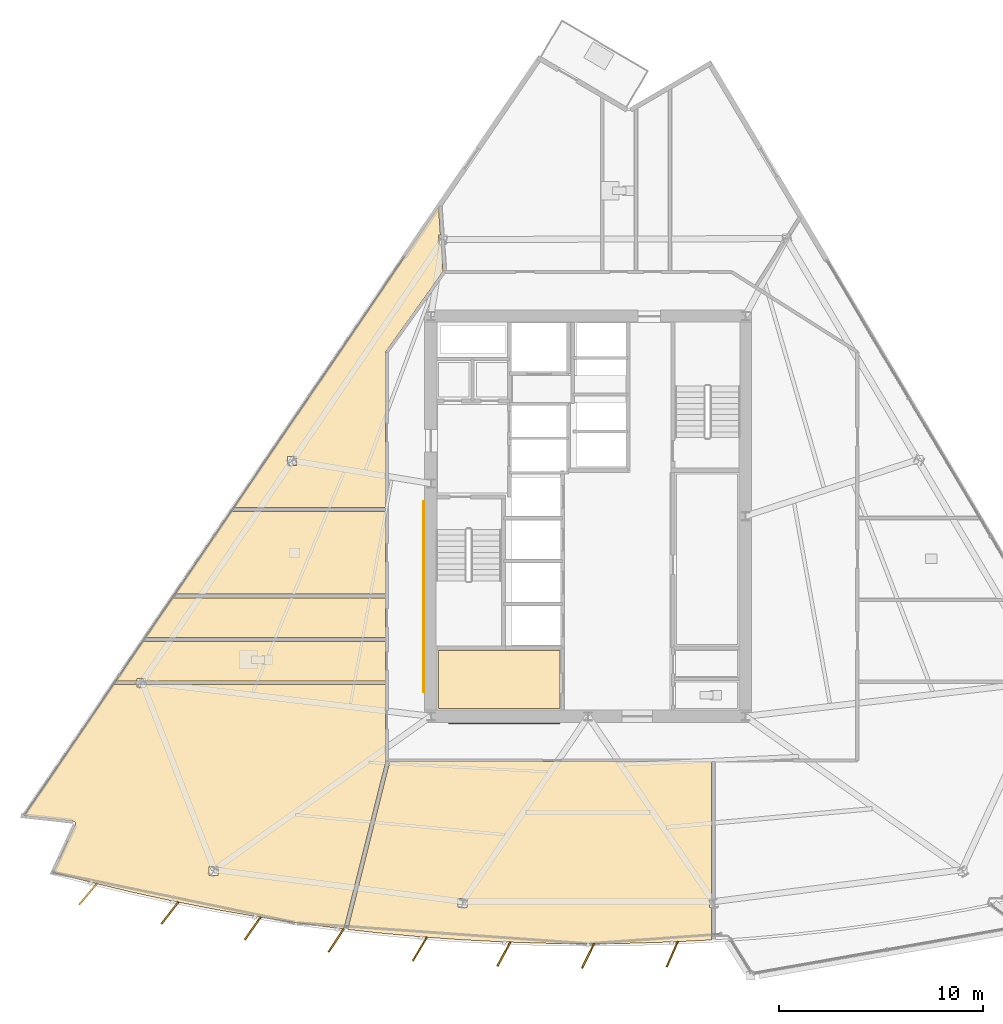
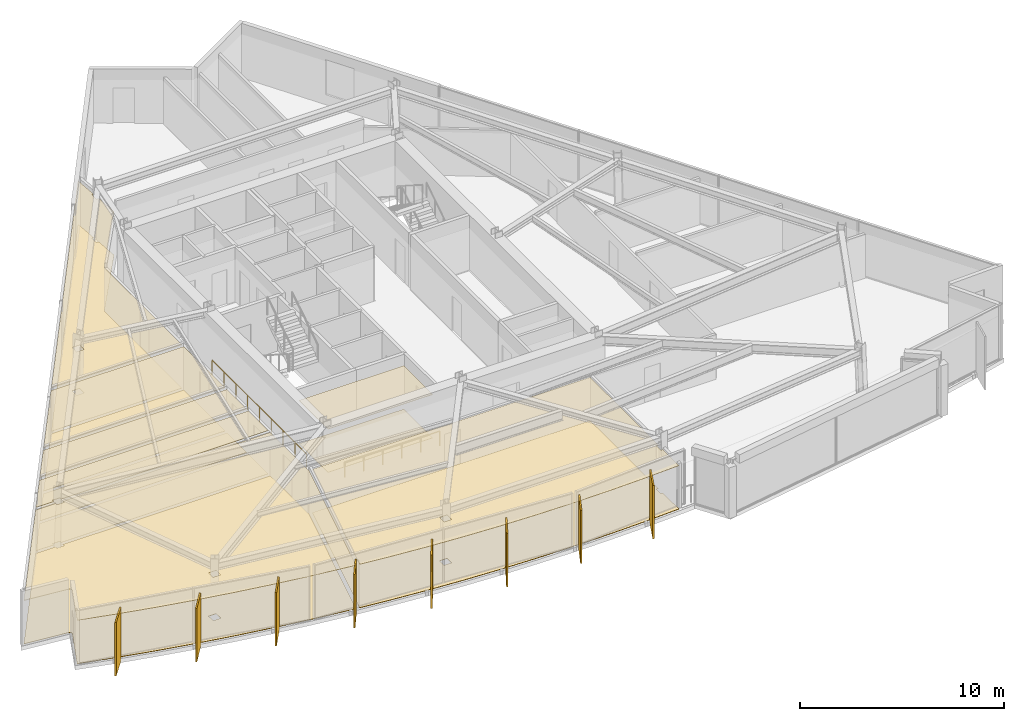
# One storey, part 11 of 15: 14 coverings, 8 shading devices, 2 railings.
"""IFC4 building model written with IfcOpenShell, lengths in metres."""

from ifc_helpers import new_model, si_unit, direction, frame, origin, origin_2d, place, context, subcontext, project, spatial, polyline, rectangle, circle, outline, extrude, material, layer, layer_set, type_object, element, save


model = new_model("IFC4")

# Units and contexts
model_context = context("Model", 3, precision=1e-05, world=origin(), true_north=direction((0.0, 1.0)))
body_context = subcontext(model_context, "Body", "Model", "MODEL_VIEW")
ifc_project = project(units=[si_unit("LENGTHUNIT", "METRE"), si_unit("AREAUNIT", "SQUARE_METRE"), si_unit("VOLUMEUNIT", "CUBIC_METRE"), si_unit("PLANEANGLEUNIT", "RADIAN"), si_unit("MASSUNIT", "GRAM", prefix="KILO")], contexts=[model_context])

# Site, building, storey
site_placement = place(None, origin())
site = spatial("IfcSite", under=ifc_project, at=site_placement, CompositionType="ELEMENT")
building_placement = place(site_placement, origin())
building = spatial("IfcBuilding", under=site, at=building_placement, Name="Savorim Split Tower", CompositionType="ELEMENT")
storey_placement = place(building_placement, frame((0.0, 0.0, 125.699951171875)))
storey = spatial("IfcBuildingStorey", under=building, at=storey_placement, Name="L33", CompositionType="ELEMENT", Elevation=125.699951171875)

# Coverings
ifc_material_1 = material(Name="Mineral Fibre Acoustic Ceiling")
ifc_layer_1 = layer(ifc_material_1, 0.02490234375)
ifc_layer_set_1 = layer_set([ifc_layer_1], Name="COV-CEIL-25")
covering_type_1 = type_object("IfcCoveringType", Name="COV-CEIL-25", PredefinedType="CEILING", material=ifc_layer_set_1)
covering_1_placement = place(storey_placement, frame((0.0, 0.0, 2.60009765625)))
element("IfcCovering", 1, at=covering_1_placement, inside=storey, type_object=covering_type_1, Name="L33 Housekeeping Store Acoustic Ceiling", PredefinedType="CEILING", context=body_context, shape_type="SweptSolid", body=[
    extrude(outline(polyline([(-7.320068359375, -6.179931640625), (-7.320068359375, -9.02001953125), (-1.3798828125, -9.02001953125), (-1.3798828125, -6.179931640625), (-7.320068359375, -6.179931640625)])), origin(), (0.0, 0.0, 1.0), 0.02490234375),
])
covering_2_placement = place(storey_placement, frame((0.0, 0.0, 2.60009765625)))
element("IfcCovering", 2, at=covering_2_placement, inside=storey, type_object=covering_type_1, Name="L33 Shared Kitchen Acoustic Ceiling", PredefinedType="CEILING", context=body_context, shape_type="SweptSolid", body=[
    extrude(outline(polyline([(-17.46484375, 0.641357421875), (-20.223388671875, -3.41357421875), (-9.919921875, -3.41357421875), (-9.919921875, 0.641357421875), (-17.46484375, 0.641357421875)])), origin(), (0.0, 0.0, 1.0), 0.02490234375),
])
covering_3_placement = place(storey_placement, frame((0.0, 0.0, 2.60009765625)))
element("IfcCovering", 3, at=covering_3_placement, inside=storey, type_object=covering_type_1, Name="L33 Co-Living Bedroom Acoustic Ceiling", PredefinedType="CEILING", context=body_context, shape_type="SweptSolid", body=[
    extrude(outline(polyline([(-20.3525390625, -3.603515625), (-21.667236328125, -5.535888671875), (-9.919921875, -5.535888671875), (-9.919921875, -3.603515625), (-20.3525390625, -3.603515625)])), origin(), (0.0, 0.0, 1.0), 0.02490234375),
])
covering_4_placement = place(storey_placement, frame((0.0, 0.0, 2.60009765625)))
element("IfcCovering", 4, at=covering_4_placement, inside=storey, type_object=covering_type_1, Name="L33 Shared Bathroom Acoustic Ceiling", PredefinedType="CEILING", context=body_context, shape_type="SweptSolid", body=[
    extrude(outline(polyline([(-21.672119140625, -7.535400390625), (-21.672119140625, -7.658447265625), (-9.919921875, -7.658447265625), (-9.919921875, -5.72607421875), (-21.79638671875, -5.72607421875), (-23.111083984375, -7.658447265625), (-22.09814453125, -7.658447265625), (-22.09814453125, -7.535400390625), (-21.672119140625, -7.535400390625)])), origin(), (0.0, 0.0, 1.0), 0.02490234375),
])
covering_5_placement = place(storey_placement, frame((0.0, 0.0, 2.60009765625)))
element("IfcCovering", 5, at=covering_5_placement, inside=storey, type_object=covering_type_1, Name="L33 Maker Workshop Acoustic Ceiling", PredefinedType="CEILING", context=body_context, shape_type="SweptSolid", body=[
    extrude(outline(polyline([(-25.099609375, -14.64453125), (-25.099365234375, -14.656494140625), (-25.100341796875, -14.66845703125), (-25.1025390625, -14.68017578125), (-25.105712890625, -14.691650390625), (-25.1103515625, -14.70263671875), (-26.186279296875, -17.044921875), (-24.34130859375, -17.52734375), (-22.348876953125, -18.005126953125), (-20.34716796875, -18.44189453125), (-18.336669921875, -18.837890625), (-16.318603515625, -19.1923828125), (-14.2939453125, -19.505615234375), (-12.262939453125, -19.77734375), (-11.958984375, -19.811767578125), (-9.892578125, -11.562744140625), (-9.896484375, -11.557861328125), (-9.903564453125, -11.5458984375), (-9.9091796875, -11.53369140625), (-9.9140625, -11.5205078125), (-9.917236328125, -11.50732421875), (-9.919189453125, -11.49365234375), (-9.919921875, -11.47998046875), (-9.919921875, -7.848388671875), (-21.672119140625, -7.848388671875), (-21.672119140625, -7.971435546875), (-22.09814453125, -7.971435546875), (-22.09814453125, -7.848388671875), (-23.115234375, -7.848388671875), (-23.210205078125, -7.848388671875), (-23.210205078125, -7.80419921875), (-27.605712890625, -14.265380859375), (-25.2060546875, -14.533203125), (-25.194091796875, -14.535400390625), (-25.1826171875, -14.538330078125), (-25.17138671875, -14.54248046875), (-25.160888671875, -14.5478515625), (-25.150634765625, -14.55419921875), (-25.141357421875, -14.561279296875), (-25.132568359375, -14.569580078125), (-25.124755859375, -14.57861328125), (-25.117919921875, -14.58837890625), (-25.112060546875, -14.598876953125), (-25.107177734375, -14.609619140625), (-25.103515625, -14.62109375), (-25.10107421875, -14.6328125), (-25.099609375, -14.64453125)]), holes=[polyline([(-18.554931640625, -17.19091796875), (-18.12890625, -17.19091796875), (-18.12890625, -16.7548828125), (-18.554931640625, -16.7548828125), (-18.554931640625, -17.19091796875)])]), origin(), (0.0, 0.0, 1.0), 0.02490234375),
])
covering_6_placement = place(storey_placement, frame((0.0, 0.0, 2.60009765625)))
element("IfcCovering", 6, at=covering_6_placement, inside=storey, type_object=covering_type_1, Name="L33 Co-Working Commons Acoustic Ceiling", PredefinedType="CEILING", context=body_context, shape_type="SweptSolid", body=[
    extrude(outline(polyline([(5.934326171875, -18.320556640625), (6.05224609375, -18.320556640625), (6.05224609375, -11.6201171875), (-9.711181640625, -11.6201171875), (-11.768310546875, -19.833251953125), (-10.22705078125, -20.007568359375), (-8.186767578125, -20.196044921875), (-6.14306640625, -20.342529296875), (-4.0966796875, -20.447509765625), (-2.048828125, -20.51025390625), (0.0, -20.53125), (2.048828125, -20.51025390625), (4.0966796875, -20.447509765625), (6.05224609375, -20.347412109375), (6.05224609375, -18.756591796875), (5.934326171875, -18.756591796875), (5.934326171875, -18.320556640625)]), holes=[polyline([(-6.3603515625, -18.756591796875), (-5.934326171875, -18.756591796875), (-5.934326171875, -18.320556640625), (-6.3603515625, -18.320556640625), (-6.3603515625, -18.756591796875)])]), origin(), (0.0, 0.0, 1.0), 0.02490234375),
])
covering_7_placement = place(storey_placement, frame((0.0, 0.0, 2.60009765625)))
element("IfcCovering", 7, at=covering_7_placement, inside=storey, type_object=covering_type_1, Name="L33 Maker Workshop Acoustic Ceiling", PredefinedType="CEILING", context=body_context, shape_type="SweptSolid", body=[
    extrude(outline(polyline([(-7.11376953125, 12.361572265625), (-7.105712890625, 12.3720703125), (-7.105224609375, 12.372314453125), (-7.20068359375, 13.731689453125), (-7.333740234375, 13.731689453125), (-7.333740234375, 14.167724609375), (-7.2314453125, 14.167724609375), (-7.327880859375, 15.54248046875), (-17.335693359375, 0.831298828125), (-9.919921875, 0.831298828125), (-9.919921875, 8.39990234375), (-9.919189453125, 8.41455078125), (-9.9169921875, 8.4287109375), (-9.913330078125, 8.44287109375), (-9.908203125, 8.456298828125), (-9.901611328125, 8.46923828125), (-9.893798828125, 8.4814453125), (-7.11376953125, 12.361572265625)]), holes=[polyline([(-14.716064453125, 3.316162109375), (-14.716064453125, 2.880126953125), (-14.2900390625, 2.880126953125), (-14.2900390625, 3.316162109375), (-14.716064453125, 3.316162109375)])]), origin(), (0.0, 0.0, 1.0), 0.02490234375),
])
ifc_material_2 = material(Name="Porcelain Stoneware Flooring", Category="masonry")
ifc_layer_2 = layer(ifc_material_2, 0.02001953125)
ifc_layer_set_2 = layer_set([ifc_layer_2], Name="COV-FLOR-20")
covering_type_2 = type_object("IfcCoveringType", Name="COV-FLOR-20", PredefinedType="FLOORING", material=ifc_layer_set_2)
covering_8_placement = place(storey_placement, origin())
element("IfcCovering", 8, at=covering_8_placement, inside=storey, type_object=covering_type_2, Name="L33 Housekeeping Store Porcelain Flooring", PredefinedType="FLOORING", context=body_context, shape_type="SweptSolid", body=[
    extrude(outline(polyline([(-7.320068359375, -6.179931640625), (-7.320068359375, -9.02001953125), (-1.3798828125, -9.02001953125), (-1.3798828125, -6.179931640625), (-7.320068359375, -6.179931640625)])), origin(), (0.0, 0.0, 1.0), 0.02001953125),
])
covering_9_placement = place(storey_placement, origin())
element("IfcCovering", 9, at=covering_9_placement, inside=storey, type_object=covering_type_2, Name="L33 Shared Kitchen Porcelain Flooring", PredefinedType="FLOORING", context=body_context, shape_type="SweptSolid", body=[
    extrude(outline(polyline([(-17.46484375, 0.641357421875), (-20.223388671875, -3.41357421875), (-9.919921875, -3.41357421875), (-9.919921875, 0.641357421875), (-17.46484375, 0.641357421875)])), origin(), (0.0, 0.0, 1.0), 0.02001953125),
])
covering_10_placement = place(storey_placement, origin())
element("IfcCovering", 10, at=covering_10_placement, inside=storey, type_object=covering_type_2, Name="L33 Co-Living Bedroom Porcelain Flooring", PredefinedType="FLOORING", context=body_context, shape_type="SweptSolid", body=[
    extrude(outline(polyline([(-20.3525390625, -3.603515625), (-21.667236328125, -5.535888671875), (-9.919921875, -5.535888671875), (-9.919921875, -3.603515625), (-20.3525390625, -3.603515625)])), origin(), (0.0, 0.0, 1.0), 0.02001953125),
])
covering_11_placement = place(storey_placement, origin())
element("IfcCovering", 11, at=covering_11_placement, inside=storey, type_object=covering_type_2, Name="L33 Shared Bathroom Porcelain Flooring", PredefinedType="FLOORING", context=body_context, shape_type="SweptSolid", body=[
    extrude(outline(polyline([(-21.672119140625, -7.535400390625), (-21.672119140625, -7.658447265625), (-9.919921875, -7.658447265625), (-9.919921875, -5.72607421875), (-21.79638671875, -5.72607421875), (-23.111083984375, -7.658447265625), (-22.09814453125, -7.658447265625), (-22.09814453125, -7.535400390625), (-21.672119140625, -7.535400390625)])), origin(), (0.0, 0.0, 1.0), 0.02001953125),
])
covering_12_placement = place(storey_placement, origin())
element("IfcCovering", 12, at=covering_12_placement, inside=storey, type_object=covering_type_2, Name="L33 Maker Workshop Porcelain Flooring", PredefinedType="FLOORING", context=body_context, shape_type="SweptSolid", body=[
    extrude(outline(polyline([(-25.099609375, -14.64453125), (-25.099365234375, -14.656494140625), (-25.100341796875, -14.66845703125), (-25.1025390625, -14.68017578125), (-25.105712890625, -14.691650390625), (-25.1103515625, -14.70263671875), (-26.186279296875, -17.044921875), (-24.34130859375, -17.52734375), (-22.348876953125, -18.005126953125), (-20.34716796875, -18.44189453125), (-18.336669921875, -18.837890625), (-16.318603515625, -19.1923828125), (-14.2939453125, -19.505615234375), (-12.262939453125, -19.77734375), (-11.958984375, -19.811767578125), (-9.892578125, -11.562744140625), (-9.896484375, -11.557861328125), (-9.903564453125, -11.5458984375), (-9.9091796875, -11.53369140625), (-9.9140625, -11.5205078125), (-9.917236328125, -11.50732421875), (-9.919189453125, -11.49365234375), (-9.919921875, -11.47998046875), (-9.919921875, -7.848388671875), (-21.672119140625, -7.848388671875), (-21.672119140625, -7.971435546875), (-22.09814453125, -7.971435546875), (-22.09814453125, -7.848388671875), (-23.115234375, -7.848388671875), (-23.210205078125, -7.848388671875), (-23.210205078125, -7.80419921875), (-27.605712890625, -14.265380859375), (-25.2060546875, -14.533203125), (-25.194091796875, -14.535400390625), (-25.1826171875, -14.538330078125), (-25.17138671875, -14.54248046875), (-25.160888671875, -14.5478515625), (-25.150634765625, -14.55419921875), (-25.141357421875, -14.561279296875), (-25.132568359375, -14.569580078125), (-25.124755859375, -14.57861328125), (-25.117919921875, -14.58837890625), (-25.112060546875, -14.598876953125), (-25.107177734375, -14.609619140625), (-25.103515625, -14.62109375), (-25.10107421875, -14.6328125), (-25.099609375, -14.64453125)]), holes=[polyline([(-18.554931640625, -17.19091796875), (-18.12890625, -17.19091796875), (-18.12890625, -16.7548828125), (-18.554931640625, -16.7548828125), (-18.554931640625, -17.19091796875)])]), origin(), (0.0, 0.0, 1.0), 0.02001953125),
])
covering_13_placement = place(storey_placement, origin())
element("IfcCovering", 13, at=covering_13_placement, inside=storey, type_object=covering_type_2, Name="L33 Co-Working Commons Porcelain Flooring", PredefinedType="FLOORING", context=body_context, shape_type="SweptSolid", body=[
    extrude(outline(polyline([(5.934326171875, -18.320556640625), (6.05224609375, -18.320556640625), (6.05224609375, -11.6201171875), (-9.711181640625, -11.6201171875), (-11.768310546875, -19.833251953125), (-10.22705078125, -20.007568359375), (-8.186767578125, -20.196044921875), (-6.14306640625, -20.342529296875), (-4.0966796875, -20.447509765625), (-2.048828125, -20.51025390625), (0.0, -20.53125), (2.048828125, -20.51025390625), (4.0966796875, -20.447509765625), (6.05224609375, -20.347412109375), (6.05224609375, -18.756591796875), (5.934326171875, -18.756591796875), (5.934326171875, -18.320556640625)]), holes=[polyline([(-6.3603515625, -18.756591796875), (-5.934326171875, -18.756591796875), (-5.934326171875, -18.320556640625), (-6.3603515625, -18.320556640625), (-6.3603515625, -18.756591796875)])]), origin(), (0.0, 0.0, 1.0), 0.02001953125),
])
covering_14_placement = place(storey_placement, origin())
element("IfcCovering", 14, at=covering_14_placement, inside=storey, type_object=covering_type_2, Name="L33 Maker Workshop Porcelain Flooring", PredefinedType="FLOORING", context=body_context, shape_type="SweptSolid", body=[
    extrude(outline(polyline([(-7.11376953125, 12.361572265625), (-7.105712890625, 12.3720703125), (-7.105224609375, 12.372314453125), (-7.20068359375, 13.731689453125), (-7.333740234375, 13.731689453125), (-7.333740234375, 14.167724609375), (-7.2314453125, 14.167724609375), (-7.327880859375, 15.54248046875), (-17.335693359375, 0.831298828125), (-9.919921875, 0.831298828125), (-9.919921875, 8.39990234375), (-9.919189453125, 8.41455078125), (-9.9169921875, 8.4287109375), (-9.913330078125, 8.44287109375), (-9.908203125, 8.456298828125), (-9.901611328125, 8.46923828125), (-9.893798828125, 8.4814453125), (-7.11376953125, 12.361572265625)]), holes=[polyline([(-14.716064453125, 3.316162109375), (-14.716064453125, 2.880126953125), (-14.2900390625, 2.880126953125), (-14.2900390625, 3.316162109375), (-14.716064453125, 3.316162109375)])]), origin(), (0.0, 0.0, 1.0), 0.02001953125),
])

# Railings
ifc_material_3 = material(Name="Galvanised Painted Steel Balustrade", Category="steel")
railing_type = type_object("IfcRailingType", Name="RLG-HR-900", PredefinedType="HANDRAIL", material=ifc_material_3)
railing_1_placement = place(storey_placement, frame((-6.800048828125, -9.75, 0.0)))
element("IfcRailing", 15, at=railing_1_placement, inside=storey, type_object=railing_type, Name="L33 Corridor South Accessible Handrail", PredefinedType="HANDRAIL", context=body_context, shape_type="SweptSolid", body=[
    extrude(circle(Radius=0.02392578125, at=origin_2d()), frame((0.0, 0.0, 0.8759765625), z_axis=(1.0, 0.0, 0.0), x_axis=(0.0, 1.0, 0.0)), (0.0, 0.0, 1.0), 5.400146484375),
    extrude(circle(Radius=0.02099609375, at=origin_2d()), origin(), (0.0, 0.0, 1.0), 0.851806640625),
    extrude(circle(Radius=0.02099609375, at=origin_2d()), frame((1.080078125, 0.0, 0.0)), (0.0, 0.0, 1.0), 0.851806640625),
    extrude(circle(Radius=0.02099609375, at=origin_2d()), frame((2.16015625, 0.0, 0.0)), (0.0, 0.0, 1.0), 0.851806640625),
    extrude(circle(Radius=0.02099609375, at=origin_2d()), frame((3.239990234375, 0.0, 0.0)), (0.0, 0.0, 1.0), 0.851806640625),
    extrude(circle(Radius=0.02099609375, at=origin_2d()), frame((4.320068359375, 0.0, 0.0)), (0.0, 0.0, 1.0), 0.851806640625),
    extrude(circle(Radius=0.02099609375, at=origin_2d()), frame((5.400146484375, 0.0, 0.0)), (0.0, 0.0, 1.0), 0.851806640625),
])
railing_2_placement = place(storey_placement, frame((-8.050048828125, -8.199951171875, 0.0)))
element("IfcRailing", 16, at=railing_2_placement, inside=storey, type_object=railing_type, Name="L33 Corridor West Accessible Handrail", PredefinedType="HANDRAIL", context=body_context, shape_type="SweptSolid", body=[
    extrude(circle(Radius=0.02392578125, at=origin_2d()), frame((0.0, 0.0, 0.8759765625), z_axis=(0.0, 1.0, 0.0), x_axis=(-1.0, 0.0, 0.0)), (0.0, 0.0, 1.0), 9.300048828125),
    extrude(circle(Radius=0.02099609375, at=origin_2d()), origin(), (0.0, 0.0, 1.0), 0.851806640625),
    extrude(circle(Radius=0.02099609375, at=origin_2d()), frame((0.0, 1.16259765625, 0.0)), (0.0, 0.0, 1.0), 0.851806640625),
    extrude(circle(Radius=0.02099609375, at=origin_2d()), frame((0.0, 2.324951171875, 0.0)), (0.0, 0.0, 1.0), 0.851806640625),
    extrude(circle(Radius=0.02099609375, at=origin_2d()), frame((0.0, 3.487548828125, 0.0)), (0.0, 0.0, 1.0), 0.851806640625),
    extrude(circle(Radius=0.02099609375, at=origin_2d()), frame((0.0, 4.64990234375, 0.0)), (0.0, 0.0, 1.0), 0.851806640625),
    extrude(circle(Radius=0.02099609375, at=origin_2d()), frame((0.0, 5.8125, 0.0)), (0.0, 0.0, 1.0), 0.851806640625),
    extrude(circle(Radius=0.02099609375, at=origin_2d()), frame((0.0, 6.97509765625, 0.0)), (0.0, 0.0, 1.0), 0.851806640625),
    extrude(circle(Radius=0.02099609375, at=origin_2d()), frame((0.0, 8.137451171875, 0.0)), (0.0, 0.0, 1.0), 0.851806640625),
    extrude(circle(Radius=0.02099609375, at=origin_2d()), frame((0.0, 9.300048828125, 0.0)), (0.0, 0.0, 1.0), 0.851806640625),
])

# Shading devices
ifc_material_4 = material(Name="Terracotta Ceramic-Coated Aluminium Fin", Category="masonry")
shading_device_type = type_object("IfcShadingDeviceType", Name="SHD-FIN-1360", PredefinedType="USERDEFINED", material=ifc_material_4)
for number, where, z_axis, x_axis, name in (
    (17, (-24.486328125, -18.105712890625, -0.19970703125), (0.0, 0.0, 1.0), (-0.643719022682, -0.765261928909, 0.0), "L33 Sawtooth Shading Fin 01"),
    (18, (-20.46826171875, -19.025634765625, -0.19970703125), (0.0, 0.0, 1.0), (-0.611868076908, -0.790959832394, 0.0), "L33 Sawtooth Shading Fin 02"),
    (19, (-16.415771484375, -19.780517578125, -0.19970703125), (0.0, 0.0, 1.0), (-0.578993757737, -0.815331974414, 0.0), "L33 Sawtooth Shading Fin 03"),
    (20, (-12.3359375, -20.368896484375, -0.19970703125), (0.0, 0.0, 1.0), (-0.545148321708, -0.838339613366, 0.0), "L33 Sawtooth Shading Fin 04"),
    (21, (-8.235595703125, -20.7900390625, -0.19970703125), (0.0, 0.0, 1.0), (-0.510391336723, -0.859942255851, 0.0), "L33 Sawtooth Shading Fin 05"),
    (22, (-4.12109375, -21.04296875, -0.19970703125), (0.0, 0.0, 1.0), (-0.474778051978, -0.880105562623, 0.0), "L33 Sawtooth Shading Fin 06"),
    (23, (0.0, -21.127197265625, -0.19970703125), (0.0, 0.0, 1.0), (-0.438371146789, -0.898794046299, 0.0), "L33 Sawtooth Shading Fin 07"),
    (24, (4.12109375, -21.04296875, -0.19970703125), (0.0, 0.0, 1.0), (-0.401230091723, -0.915977299662, 0.0), "L33 Sawtooth Shading Fin 08"),
):
    element("IfcShadingDevice", number, at=place(storey_placement, frame(where, z_axis=z_axis, x_axis=x_axis)), inside=storey, type_object=shading_device_type, Name=name, ObjectType="FIN", PredefinedType="USERDEFINED", context=body_context, shape_type="SweptSolid", body=[
        extrude(rectangle(XDim=1.360107421875, YDim=0.080078125, at=origin_2d()), origin(), (0.0, 0.0, 1.0), 3.199951171875),
    ])

save(model, "model.ifc")
